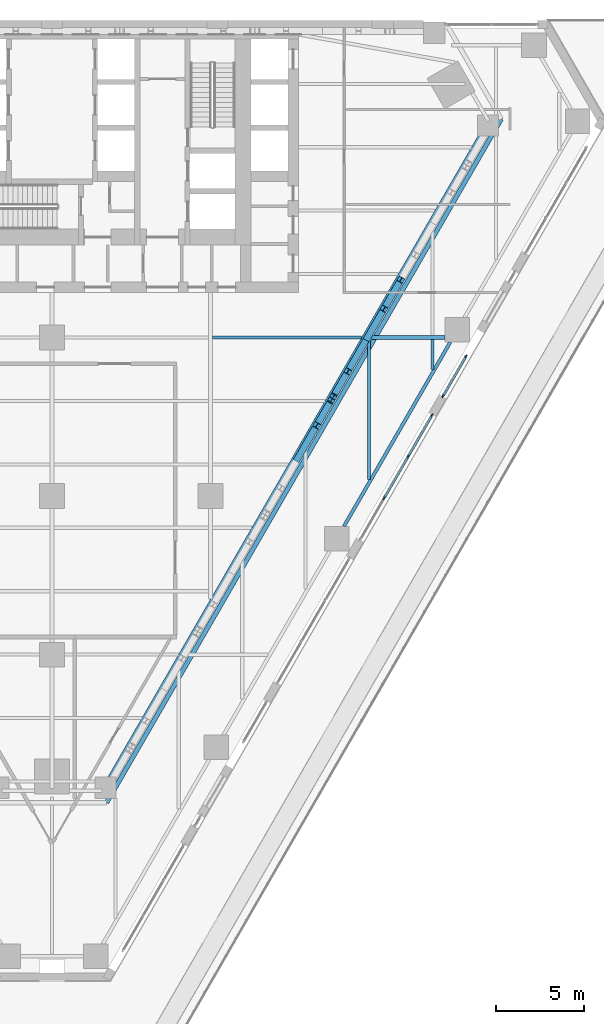
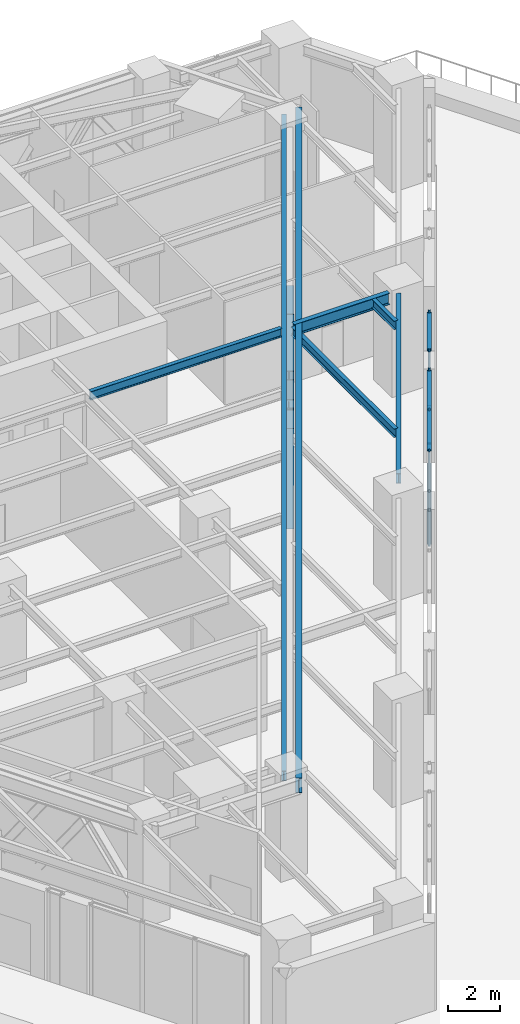
# One storey, part 8 of 25: 17 members, 7 beams, 2 elements without a shape of their own.
"""IFC4 building model written with IfcOpenShell, lengths in metres."""

from ifc_helpers import new_model, si_unit, direction, frame, origin, origin_2d, place, context, subcontext, project, spatial, rectangle, i_section, extrude, material, material_profile, profile_set, type_object, element, aggregate, save


model = new_model("IFC4")

# Units and contexts
model_context = context("Model", 3, precision=1e-05, world=origin(), true_north=direction((0.0, 1.0)))
body_context = subcontext(model_context, "Body", "Model", "MODEL_VIEW")
ifc_project = project(units=[si_unit("LENGTHUNIT", "METRE"), si_unit("AREAUNIT", "SQUARE_METRE"), si_unit("VOLUMEUNIT", "CUBIC_METRE"), si_unit("PLANEANGLEUNIT", "RADIAN"), si_unit("MASSUNIT", "GRAM", prefix="KILO")], contexts=[model_context])

# Site, building, storey
site_placement = place(None, origin())
site = spatial("IfcSite", under=ifc_project, at=site_placement, CompositionType="ELEMENT")
building_placement = place(site_placement, origin())
building = spatial("IfcBuilding", under=site, at=building_placement, Name="Aloe Facet Convention Tower", CompositionType="ELEMENT")
storey_placement = place(building_placement, frame((0.0, 0.0, 30.0)))
storey = spatial("IfcBuildingStorey", under=building, at=storey_placement, Name="L05", CompositionType="ELEMENT", Elevation=30.0)

# Beam
ifc_material_1 = material(Name="Steel S355", Category="steel")
ifc_material_profile_1 = material_profile(ifc_material_1, i_section(OverallWidth=0.25439453125, OverallDepth=0.6875, WebThickness=0.01318359375, FlangeThickness=0.02099609375, FilletRadius=0.01513671875, at=origin_2d()), Name="UB 686x254x152")
ifc_profile_set_1 = profile_set([ifc_material_profile_1], Name="Steel S355")
beam_type_1 = type_object("IfcBeamType", Name="EV-EB-UB686x254x152", PredefinedType="BEAM", material=ifc_profile_set_1)
beam_1_placement = place(storey_placement, frame((83.10498046875, 90.598876953125, 4.456298828125), z_axis=(0.500003288626, 0.866023505087, 0.0), x_axis=(-0.866023505087, 0.500003288626, 0.0)))
element("IfcBeam", 1, at=beam_1_placement, inside=storey, type_object=beam_type_1, Name="EB-L06-E", PredefinedType="BEAM", context=body_context, shape_type="SweptSolid", body=[
    extrude(i_section(OverallWidth=0.25439453125, OverallDepth=0.6875, WebThickness=0.01318359375, FlangeThickness=0.02099609375, FilletRadius=0.01513671875, at=origin_2d()), origin(), (0.0, 0.0, 1.0), 44.800048828125),
])

# Curtain wall, members
ifc_material_2 = material(Name="Aluminium, anodised", Category="aluminium")
curtain_wall_type = type_object("IfcCurtainWallType", Name="EV-CW-HALL", PredefinedType="USERDEFINED", material=ifc_material_2)
curtain_wall_1_placement = place(storey_placement, origin())
curtain_wall_1 = element("IfcCurtainWall", 2, at=curtain_wall_1_placement, inside=storey, type_object=curtain_wall_type, Name="CW-L05-E08", ObjectType="UNITISED HALL GLAZING", PredefinedType="USERDEFINED")
ifc_material_3 = material(Name="Aluminium, anodised", Category="aluminium")
ifc_material_profile_2 = material_profile(ifc_material_3, rectangle(XDim=0.06494140625, YDim=0.199951171875, at=origin_2d()), Name="AL 65x200")
ifc_profile_set_2 = profile_set([ifc_material_profile_2], Name="Aluminium, anodised")
member_type_1 = type_object("IfcMemberType", Name="EV-MULL-HALL", PredefinedType="MULLION", material=ifc_profile_set_2)
member_1_placement = place(storey_placement, frame((98.857177734375, 107.882080078125, -0.300048828125), z_axis=(0.0, 0.0, 1.0), x_axis=(-0.866025403784, 0.5, 0.0)))
member_1 = element("IfcMember", 3, at=member_1_placement, type_object=member_type_1, Name="CW-L05-E08 mullion 2", PredefinedType="MULLION", context=body_context, shape_type="SweptSolid", body=[
    extrude(rectangle(XDim=0.06494140625, YDim=0.199951171875, at=origin_2d()), origin(), (0.0, 0.0, 1.0), 4.41259765625),
])
member_2_placement = place(storey_placement, frame((100.22216796875, 110.24658203125, -0.300048828125), z_axis=(0.0, 0.0, 1.0), x_axis=(-0.866025403784, 0.5, 0.0)))
member_2 = element("IfcMember", 4, at=member_2_placement, type_object=member_type_1, Name="CW-L05-E08 mullion 3", PredefinedType="MULLION", context=body_context, shape_type="SweptSolid", body=[
    extrude(rectangle(XDim=0.06494140625, YDim=0.199951171875, at=origin_2d()), origin(), (0.0, 0.0, 1.0), 4.41259765625),
])
member_3_placement = place(storey_placement, frame((101.5712890625, 112.5830078125, -0.300048828125), z_axis=(0.0, 0.0, 1.0), x_axis=(-0.866025403784, 0.5, 0.0)))
member_3 = element("IfcMember", 5, at=member_3_placement, type_object=member_type_1, Name="CW-L05-E08 mullion 4", PredefinedType="MULLION", context=body_context, shape_type="SweptSolid", body=[
    extrude(rectangle(XDim=0.06494140625, YDim=0.199951171875, at=origin_2d()), origin(), (0.0, 0.0, 1.0), 4.41259765625),
])

curtain_wall_2_placement = place(storey_placement, origin())
curtain_wall_2 = element("IfcCurtainWall", 6, at=curtain_wall_2_placement, inside=storey, type_object=curtain_wall_type, Name="CW-L05-E10A", ObjectType="UNITISED HALL GLAZING", PredefinedType="USERDEFINED")
member_4_placement = place(storey_placement, frame((102.20361328125, 113.678466796875, -0.300048828125), z_axis=(0.0, 0.0, 1.0), x_axis=(-0.866025403723, 0.500000000106, 0.0)))
member_4 = element("IfcMember", 7, at=member_4_placement, type_object=member_type_1, Name="CW-L05-E10A mullion 1", PredefinedType="MULLION", context=body_context, shape_type="SweptSolid", body=[
    extrude(rectangle(XDim=0.06494140625, YDim=0.199951171875, at=origin_2d()), origin(), (0.0, 0.0, 1.0), 4.41259765625),
])
member_5_placement = place(storey_placement, frame((103.5048828125, 115.93212890625, -0.300048828125), z_axis=(0.0, 0.0, 1.0), x_axis=(-0.866025403723, 0.500000000106, 0.0)))
member_5 = element("IfcMember", 8, at=member_5_placement, type_object=member_type_1, Name="CW-L05-E10A mullion 2", PredefinedType="MULLION", context=body_context, shape_type="SweptSolid", body=[
    extrude(rectangle(XDim=0.06494140625, YDim=0.199951171875, at=origin_2d()), origin(), (0.0, 0.0, 1.0), 4.41259765625),
])

# Member
ifc_material_4 = material(Name="Aluminium, anodised", Category="aluminium")
ifc_material_profile_3 = material_profile(ifc_material_4, rectangle(XDim=0.159912109375, YDim=0.06494140625, at=origin_2d()), Name="AL 160x65")
ifc_profile_set_3 = profile_set([ifc_material_profile_3], Name="Aluminium, anodised")
member_type_2 = type_object("IfcMemberType", Name="EV-TRAN-HALL", PredefinedType="USERDEFINED", material=ifc_profile_set_3)
member_6_placement = place(storey_placement, frame((98.873291015625, 107.91015625, -0.267578125), z_axis=(0.500010524421, 0.866019327422, 0.0), x_axis=(-0.866019327422, 0.500010524421, 0.0)))
member_6 = element("IfcMember", 9, at=member_6_placement, type_object=member_type_2, Name="CW-L05-E08 transom 2.1", ObjectType="TRANSOM", PredefinedType="USERDEFINED", context=body_context, shape_type="SweptSolid", body=[
    extrude(rectangle(XDim=0.159912109375, YDim=0.06494140625, at=origin_2d()), origin(), (0.0, 0.0, 1.0), 2.66552734375),
])

member_7_placement = place(storey_placement, frame((98.873291015625, 107.91015625, 4.080078125), z_axis=(0.500010524421, 0.866019327422, 0.0), x_axis=(-0.866019327422, 0.500010524421, 0.0)))
member_7 = element("IfcMember", 10, at=member_7_placement, type_object=member_type_2, Name="CW-L05-E08 transom 2.2", ObjectType="TRANSOM", PredefinedType="USERDEFINED", context=body_context, shape_type="SweptSolid", body=[
    extrude(rectangle(XDim=0.159912109375, YDim=0.06494140625, at=origin_2d()), origin(), (0.0, 0.0, 1.0), 2.66552734375),
])

member_8_placement = place(storey_placement, frame((100.238525390625, 110.274658203125, -0.267578125), z_axis=(0.499968599967, 0.866043531843, 0.0), x_axis=(-0.866043531843, 0.499968599967, 0.0)))
member_8 = element("IfcMember", 11, at=member_8_placement, type_object=member_type_2, Name="CW-L05-E08 transom 3.1", ObjectType="TRANSOM", PredefinedType="USERDEFINED", context=body_context, shape_type="SweptSolid", body=[
    extrude(rectangle(XDim=0.159912109375, YDim=0.06494140625, at=origin_2d()), origin(), (0.0, 0.0, 1.0), 2.633056640625),
])

member_9_placement = place(storey_placement, frame((100.238525390625, 110.274658203125, 4.080078125), z_axis=(0.499968599967, 0.866043531843, 0.0), x_axis=(-0.866043531843, 0.499968599967, 0.0)))
member_9 = element("IfcMember", 12, at=member_9_placement, type_object=member_type_2, Name="CW-L05-E08 transom 3.2", ObjectType="TRANSOM", PredefinedType="USERDEFINED", context=body_context, shape_type="SweptSolid", body=[
    extrude(rectangle(XDim=0.159912109375, YDim=0.06494140625, at=origin_2d()), origin(), (0.0, 0.0, 1.0), 2.633056640625),
])

aggregate(curtain_wall_1, [member_1, member_2, member_3, member_6, member_7, member_8, member_9])

member_10_placement = place(storey_placement, frame((102.219970703125, 113.70654296875, -0.267578125), z_axis=(0.49994733625, 0.86605580708, 0.0), x_axis=(-0.86605580708, 0.49994733625, 0.0)))
member_10 = element("IfcMember", 13, at=member_10_placement, type_object=member_type_2, Name="CW-L05-E10A transom 1.1", ObjectType="TRANSOM", PredefinedType="USERDEFINED", context=body_context, shape_type="SweptSolid", body=[
    extrude(rectangle(XDim=0.159912109375, YDim=0.06494140625, at=origin_2d()), origin(), (0.0, 0.0, 1.0), 2.537353515625),
])

member_11_placement = place(storey_placement, frame((102.219970703125, 113.70654296875, 4.080078125), z_axis=(0.49994733625, 0.86605580708, 0.0), x_axis=(-0.86605580708, 0.49994733625, 0.0)))
member_11 = element("IfcMember", 14, at=member_11_placement, type_object=member_type_2, Name="CW-L05-E10A transom 1.2", ObjectType="TRANSOM", PredefinedType="USERDEFINED", context=body_context, shape_type="SweptSolid", body=[
    extrude(rectangle(XDim=0.159912109375, YDim=0.06494140625, at=origin_2d()), origin(), (0.0, 0.0, 1.0), 2.537353515625),
])

aggregate(curtain_wall_2, [member_4, member_5, member_10, member_11])

# Beams
ifc_material_5 = material(Name="Steel S355", Category="steel")
ifc_material_profile_4 = material_profile(ifc_material_5, i_section(OverallWidth=0.177734375, OverallDepth=0.402587890625, WebThickness=0.0078125, FlangeThickness=0.010986328125, FilletRadius=0.01025390625, at=origin_2d()), Name="UB 406x178x54")
ifc_profile_set_4 = profile_set([ifc_material_profile_4], Name="Steel S355")
beam_type_2 = type_object("IfcBeamType", Name="SF-B-UB406x178x54", PredefinedType="BEAM", material=ifc_profile_set_4)
beam_2_placement = place(storey_placement, frame((98.0, 108.947265625, 4.5986328125), z_axis=(0.0, 1.0, 0.0), x_axis=(-1.0, 0.0, 0.0)))
element("IfcBeam", 15, at=beam_2_placement, inside=storey, type_object=beam_type_2, Name="Floor beam FB-L06-835", PredefinedType="BEAM", context=body_context, shape_type="SweptSolid", body=[
    extrude(i_section(OverallWidth=0.177734375, OverallDepth=0.402587890625, WebThickness=0.0078125, FlangeThickness=0.010986328125, FilletRadius=0.01025390625, at=origin_2d()), origin(), (0.0, 0.0, 1.0), 7.884765625),
])
beam_3_placement = place(storey_placement, frame((101.60009765625, 115.1826171875, 4.5986328125), z_axis=(0.0, 1.0, 0.0), x_axis=(-1.0, 0.0, 0.0)))
element("IfcBeam", 16, at=beam_3_placement, inside=storey, type_object=beam_type_2, Name="Floor beam FB-L06-836", PredefinedType="BEAM", context=body_context, shape_type="SweptSolid", body=[
    extrude(i_section(OverallWidth=0.177734375, OverallDepth=0.402587890625, WebThickness=0.0078125, FlangeThickness=0.010986328125, FilletRadius=0.01025390625, at=origin_2d()), origin(), (0.0, 0.0, 1.0), 1.7119140625),
])
beam_4_placement = place(storey_placement, frame((89.10546875, 117.0, 4.5986328125), z_axis=(1.0, 0.0, 0.0), x_axis=(0.0, 1.0, 0.0)))
element("IfcBeam", 17, at=beam_4_placement, inside=storey, type_object=beam_type_2, Name="Floor beam FB-Z1A-044", PredefinedType="BEAM", context=body_context, shape_type="SweptSolid", body=[
    extrude(i_section(OverallWidth=0.177734375, OverallDepth=0.402587890625, WebThickness=0.0078125, FlangeThickness=0.010986328125, FilletRadius=0.01025390625, at=origin_2d()), origin(), (0.0, 0.0, 1.0), 8.464599609375),
])
ifc_material_6 = material(Name="Steel S355", Category="steel")
ifc_material_profile_5 = material_profile(ifc_material_6, i_section(OverallWidth=0.18994140625, OverallDepth=0.453369140625, WebThickness=0.008544921875, FlangeThickness=0.0126953125, FilletRadius=0.01025390625, at=origin_2d()), Name="UB 457x191x67")
ifc_profile_set_5 = profile_set([ifc_material_profile_5], Name="Steel S355")
beam_type_3 = type_object("IfcBeamType", Name="SF-B-UB457x191x67", PredefinedType="BEAM", material=ifc_profile_set_5)
beam_5_placement = place(storey_placement, frame((102.611572265625, 116.735107421875, 4.5732421875), z_axis=(-0.499986328982, -0.866033296607, 0.0), x_axis=(0.866033296607, -0.499986328982, 0.0)))
element("IfcBeam", 18, at=beam_5_placement, inside=storey, type_object=beam_type_3, Name="Floor beam FB-L06-810", PredefinedType="BEAM", context=body_context, shape_type="SweptSolid", body=[
    extrude(i_section(OverallWidth=0.18994140625, OverallDepth=0.453369140625, WebThickness=0.008544921875, FlangeThickness=0.0126953125, FilletRadius=0.01025390625, at=origin_2d()), origin(), (0.0, 0.0, 1.0), 12.066650390625),
])
beam_6_placement = place(storey_placement, frame((104.781982421875, 129.2841796875, 4.5732421875), z_axis=(-0.499998569178, -0.866026229868, 0.0), x_axis=(0.866026229868, -0.499998569178, 0.0)))
element("IfcBeam", 19, at=beam_6_placement, inside=storey, type_object=beam_type_3, Name="Floor beam FB-Z1A-008", PredefinedType="BEAM", context=body_context, shape_type="SweptSolid", body=[
    extrude(i_section(OverallWidth=0.18994140625, OverallDepth=0.453369140625, WebThickness=0.008544921875, FlangeThickness=0.0126953125, FilletRadius=0.01025390625, at=origin_2d()), origin(), (0.0, 0.0, 1.0), 43.882080078125),
])
ifc_material_7 = material(Name="Steel S355", Category="steel")
ifc_material_profile_6 = material_profile(ifc_material_7, i_section(OverallWidth=0.210693359375, OverallDepth=0.53955078125, WebThickness=0.01171875, FlangeThickness=0.018798828125, FilletRadius=0.0126953125, at=origin_2d()), Name="UB 533x210x109")
ifc_profile_set_6 = profile_set([ifc_material_profile_6], Name="Steel S355")
beam_type_4 = type_object("IfcBeamType", Name="SF-B-UB533x210x109", PredefinedType="BEAM", material=ifc_profile_set_6)
beam_7_placement = place(storey_placement, frame((98.101318359375, 117.0, 4.5302734375), z_axis=(1.0, 0.0, 0.0), x_axis=(0.0, 1.0, 0.0)))
element("IfcBeam", 20, at=beam_7_placement, inside=storey, type_object=beam_type_4, Name="Floor beam FB-L06-817", PredefinedType="BEAM", context=body_context, shape_type="SweptSolid", body=[
    extrude(i_section(OverallWidth=0.210693359375, OverallDepth=0.53955078125, WebThickness=0.01171875, FlangeThickness=0.018798828125, FilletRadius=0.0126953125, at=origin_2d()), origin(), (0.0, 0.0, 1.0), 4.214599609375),
])

# Members
ifc_material_8 = material(Name="Steel S355", Category="steel")
ifc_material_profile_7 = material_profile(ifc_material_8, i_section(OverallWidth=0.374755859375, OverallDepth=0.37451171875, WebThickness=0.0166015625, FlangeThickness=0.027099609375, FilletRadius=0.01513671875, at=origin_2d()), Name="UC 356x368x202")
ifc_profile_set_7 = profile_set([ifc_material_profile_7], Name="Steel S355")
member_type_3 = type_object("IfcMemberType", Name="SF-W-UC356x368x202", PredefinedType="BRACE", material=ifc_profile_set_7)
for number, where, z_axis, x_axis, name in (
    (21, (93.939697265625, 110.114990234375, 0.825927734375), (0.285363086299, 0.49417932374, 0.821191028303), (-0.865988583845, 0.500063768584, 0.0), "Transfer ring diagonal TW-F3-12"),
    (22, (94.89453125, 111.768798828125, 0.825927734375), (0.285363086299, 0.49417932374, 0.821191028303), (-0.865988583845, 0.500063768584, 0.0), "Transfer ring diagonal TW-F3-13"),
    (23, (95.849609375, 113.422607421875, 3.97412109375), (0.285295608397, 0.494236432314, -0.821180104973), (-0.866064803699, 0.499931751136, 0.0), "Transfer ring diagonal TW-F3-14"),
    (24, (96.804443359375, 115.076416015625, 3.97412109375), (0.285295608397, 0.494236432314, -0.821180104973), (-0.866064803699, 0.499931751136, 0.0), "Transfer ring diagonal TW-F3-15"),
    (25, (97.75927734375, 116.73046875, 0.825927734375), (0.285304587634, 0.49418830358, 0.821205950344), (-0.866036909293, 0.499980071345, 0.0), "Transfer ring diagonal TW-F3-16"),
    (26, (98.714111328125, 118.38427734375, 0.825927734375), (0.285363086299, 0.49417932374, 0.821191028303), (-0.865988583845, 0.500063768584, 0.0), "Transfer ring diagonal TW-F3-17"),
):
    element("IfcMember", number, at=place(storey_placement, frame(where, z_axis=z_axis, x_axis=x_axis)), inside=storey, type_object=member_type_3, Name=name, PredefinedType="BRACE", context=body_context, shape_type="SweptSolid", body=[
        extrude(i_section(OverallWidth=0.374755859375, OverallDepth=0.37451171875, WebThickness=0.0166015625, FlangeThickness=0.027099609375, FilletRadius=0.01513671875, at=origin_2d()), origin(), (0.0, 0.0, 1.0), 3.833740234375),
    ])

save(model, "model.ifc")
